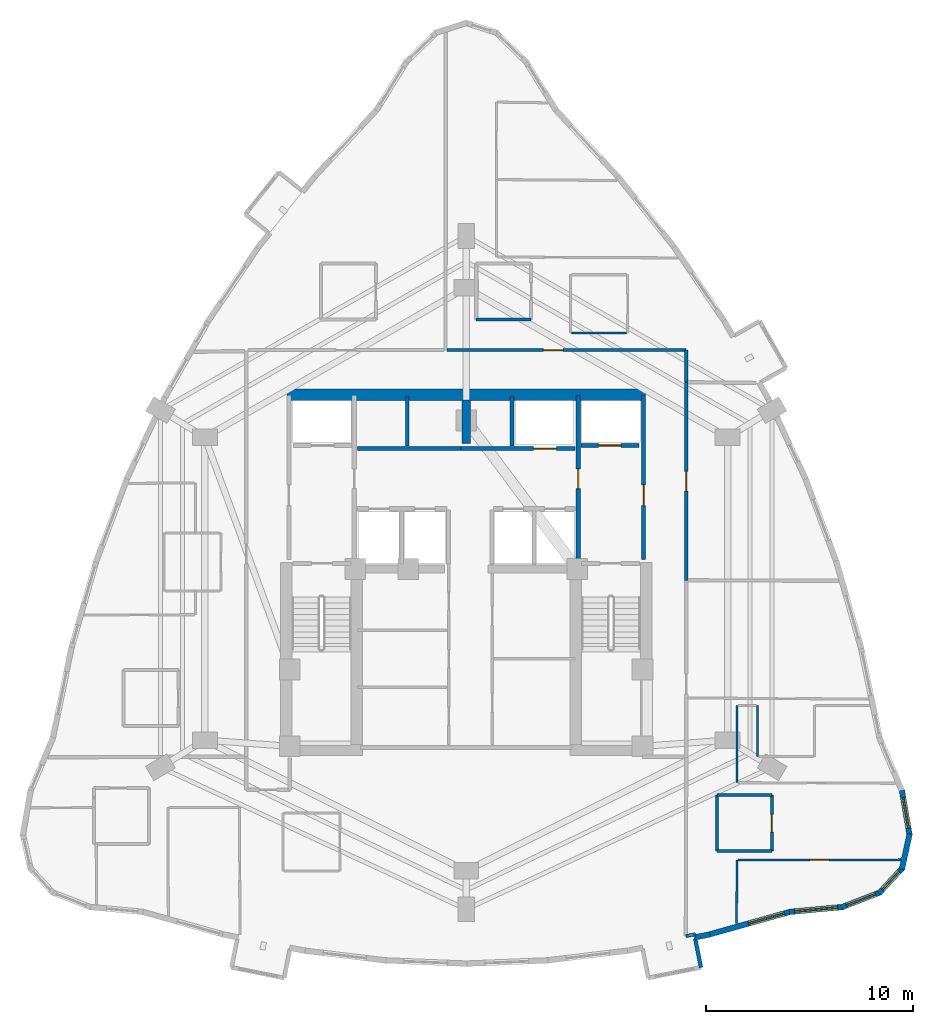
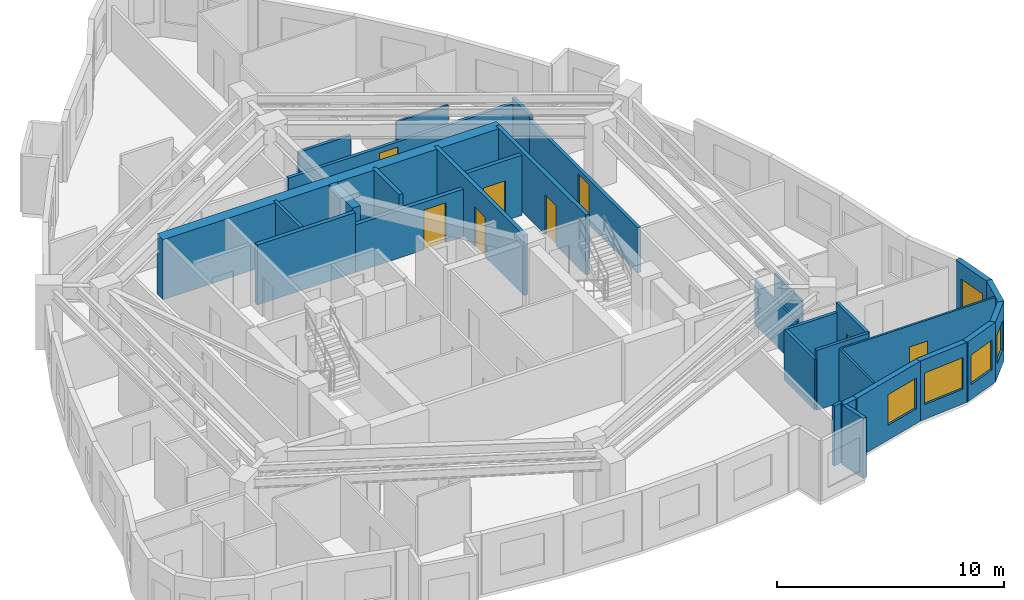
# One storey, part 8 of 11: 31 walls, 8 doors, 5 windows, 13 openings.
"""IFC4 building model written with IfcOpenShell, lengths in metres."""

import ifcopenshell
import ifcopenshell.guid

model = None  # the IFC model being written
_history = None  # IfcOwnerHistory: only IFC2X3 demands one
_inside = {}  # id of a spatial element -> (the spatial element, [elements in it])
_under = {}  # id of a project, library or spatial element -> (it, [spatial elements below it])
_declared = {}  # id of a project -> (the project, [libraries it declares])
_typed = {}  # id of a type object -> (the type object, [elements of that type])
_made_of = {}  # id of a material, layer set ... -> (it, [elements and type objects made of it])


def new_model(schema):
    """Start an empty IFC model of exactly this schema.

    Asked for "IFC4X3", IfcOpenShell would pick the latest addendum, in which some entities
    have other attributes; the version numbers below select the first issue.
    IFC2X3 requires an IfcOwnerHistory on every rooted entity: one is made here for all.
    """
    global model, _history
    if schema == "IFC4X3":
        model = ifcopenshell.file(schema_version=(4, 3, 0, 0))
    else:
        model = ifcopenshell.file(schema=schema)
    _inside.clear()
    _under.clear()
    _declared.clear()
    _typed.clear()
    _made_of.clear()
    _history = None
    if model.schema == "IFC2X3":
        org = make("IfcOrganization", Name="unknown")
        user = make(
            "IfcPersonAndOrganization",
            ThePerson=make("IfcPerson", FamilyName="unknown"),
            TheOrganization=org,
        )
        app = make(
            "IfcApplication",
            ApplicationDeveloper=org,
            Version="unknown",
            ApplicationFullName="unknown",
            ApplicationIdentifier="unknown",
        )
        _history = make(
            "IfcOwnerHistory",
            OwningUser=user,
            OwningApplication=app,
            ChangeAction="ADDED",
            CreationDate=0,
        )
    return model


def make(cls, **values):
    """One entity of the class cls with the attributes given. An attribute that is None is left unset."""
    return model.create_entity(
        cls, **{name: value for name, value in values.items() if value is not None}
    )


def rooted(cls, **values):
    """An entity with a GlobalId (a new one), such as an element, a storey or a relation."""
    return make(cls, GlobalId=ifcopenshell.guid.new(), OwnerHistory=_history, **values)


def si_unit(unit_type, name, prefix=None):
    """IfcSIUnit, for example si_unit("LENGTHUNIT", "METRE", prefix="MILLI")."""
    return make("IfcSIUnit", UnitType=unit_type, Prefix=prefix, Name=name)


def assignment(units):
    """IfcUnitAssignment: the units of a project."""
    return None if units is None else make("IfcUnitAssignment", Units=units)


def point(xyz):
    """IfcCartesianPoint."""
    return None if xyz is None else make("IfcCartesianPoint", Coordinates=xyz)


def direction(xyz):
    """IfcDirection."""
    return None if xyz is None else make("IfcDirection", DirectionRatios=xyz)


def frame(location, z_axis=None, x_axis=None):
    """IfcAxis2Placement3D, a coordinate frame: its origin and axes. An axis left out is left unset."""
    return make(
        "IfcAxis2Placement3D",
        Location=point(location),
        Axis=direction(z_axis),
        RefDirection=direction(x_axis),
    )


def frame_2d(location, x_axis=None):
    """IfcAxis2Placement2D, a coordinate frame in the plane: its origin and x axis."""
    return make(
        "IfcAxis2Placement2D", Location=point(location), RefDirection=direction(x_axis)
    )


def origin():
    """The frame at (0, 0, 0) with its axes left unset."""
    return frame((0.0, 0.0, 0.0))


def place(relative_to, where):
    """IfcLocalPlacement: puts the frame where relative to a parent placement (None: the world)."""
    return make(
        "IfcLocalPlacement", PlacementRelTo=relative_to, RelativePlacement=where
    )


def context(
    kind, dimensions, precision=None, world=None, true_north=None, identifier=None
):
    """IfcGeometricRepresentationContext, for example the 3D "Model" context."""
    return make(
        "IfcGeometricRepresentationContext",
        ContextIdentifier=identifier,
        ContextType=kind,
        CoordinateSpaceDimension=dimensions,
        Precision=precision,
        WorldCoordinateSystem=world,
        TrueNorth=true_north,
    )


def subcontext(parent, identifier, kind, view, scale=None):
    """IfcGeometricRepresentationSubContext, for example "Body" below "Model"."""
    return make(
        "IfcGeometricRepresentationSubContext",
        ContextIdentifier=identifier,
        ContextType=kind,
        ParentContext=parent,
        TargetScale=scale,
        TargetView=view,
    )


def project(units=None, contexts=None):
    """IfcProject with its units and contexts."""
    return rooted(
        "IfcProject",
        Name="project",
        RepresentationContexts=contexts,
        UnitsInContext=assignment(units),
    )


def spatial(cls, under=None, at=None, **own):
    """A site, building, storey or space (cls), placed at a placement, below another one or the project."""
    s = rooted(cls, ObjectPlacement=at, **own)
    if under is not None:
        _under.setdefault(under.id(), (under, []))[1].append(s)
    return s


def profile(cls, at=None, kind="AREA", **sizes):
    """A parametric profile (cls). Its sizes go by their IFC names, for example OverallWidth=200.0."""
    return make(cls, ProfileType=kind, Position=at, **sizes)


def rectangle(**sizes):
    """IfcRectangleProfileDef."""
    return profile("IfcRectangleProfileDef", **sizes)


def extrude(swept, where, along, depth):
    """IfcExtrudedAreaSolid: the profile swept, set in the frame where, extruded along a direction by depth."""
    return make(
        "IfcExtrudedAreaSolid",
        SweptArea=swept,
        Position=where,
        ExtrudedDirection=direction(along),
        Depth=depth,
    )


def shape(context_of_items, identifier, shape_type, items):
    """IfcShapeRepresentation: the items that make up one representation, for example the "Body"."""
    return make(
        "IfcShapeRepresentation",
        ContextOfItems=context_of_items,
        RepresentationIdentifier=identifier,
        RepresentationType=shape_type,
        Items=items,
    )


def material(Name=None, Category=None):
    """IfcMaterial."""
    return make("IfcMaterial", Name=Name, Category=Category)


def layer(
    of_material, thickness, ventilated=None, Name=None, Category=None, Priority=None
):
    """IfcMaterialLayer: one layer of a wall or slab, of a material (None: an air gap)."""
    return make(
        "IfcMaterialLayer",
        Material=of_material,
        LayerThickness=thickness,
        IsVentilated=ventilated,
        Name=Name,
        Category=Category,
        Priority=Priority,
    )


def layer_set(layers, Name=None):
    """IfcMaterialLayerSet."""
    return make("IfcMaterialLayerSet", MaterialLayers=layers, LayerSetName=Name)


def made_of(thing, what):
    """Note that an element or type object is made of a material, layer set ...; save() writes the relation."""
    if what is not None:
        _made_of.setdefault(what.id(), (what, []))[1].append(thing)
    return thing


def type_object(cls, material=None, **own):
    """A type object (cls), such as IfcWallType, which elements share."""
    return made_of(rooted(cls, **own), material)


def element(
    cls,
    number,
    at=None,
    inside=None,
    cuts=None,
    type_object=None,
    material=None,
    context=None,
    identifier="Body",
    shape_type=None,
    held_by="IfcProductDefinitionShape",
    body=None,
    shapes=None,
    **own,
):
    """One element of the class cls, such as IfcWall. Its Tag is "e" and its number.

    at: its placement. inside: the storey or other place that contains it. cuts: it is an
    opening in that element (IfcRelVoidsElement). A single representation is given by context,
    identifier, shape_type and body (its items); several are given by shapes. held_by: the class
    of the entity that holds the representations. save() writes the other relations.
    """
    e = rooted(cls, Tag="e%d" % number, ObjectPlacement=at, **own)
    if body is not None:
        shapes = [shape(context, identifier, shape_type, body)]
    if shapes is not None:
        e.Representation = make(held_by, Representations=shapes)
    if inside is not None:
        _inside.setdefault(inside.id(), (inside, []))[1].append(e)
    if cuts is not None:
        rooted(
            "IfcRelVoidsElement", RelatingBuildingElement=cuts, RelatedOpeningElement=e
        )
    if type_object is not None:
        _typed.setdefault(type_object.id(), (type_object, []))[1].append(e)
    return made_of(e, material)


def fill(opening, filler):
    """IfcRelFillsElement: the door or window that sits in an opening."""
    return rooted(
        "IfcRelFillsElement",
        RelatingOpeningElement=opening,
        RelatedBuildingElement=filler,
    )


def aggregate(whole, parts):
    """IfcRelAggregates: a whole, such as a stair, and the parts it consists of."""
    return rooted("IfcRelAggregates", RelatingObject=whole, RelatedObjects=parts)


def save(model, path):
    """Write the relations noted so far, then the file.

    IfcRelAggregates (storeys below a building ...), IfcRelContainedInSpatialStructure (elements
    in a storey), IfcRelDefinesByType, IfcRelAssociatesMaterial and IfcRelDeclares: one each for
    every whole, place, type object, material and project.
    """
    for whole, parts in _under.values():
        aggregate(whole, parts)
    for where, things in _inside.values():
        rooted(
            "IfcRelContainedInSpatialStructure",
            RelatedElements=things,
            RelatingStructure=where,
        )
    for kind, things in _typed.values():
        rooted("IfcRelDefinesByType", RelatedObjects=things, RelatingType=kind)
    for what, things in _made_of.values():
        rooted("IfcRelAssociatesMaterial", RelatedObjects=things, RelatingMaterial=what)
    for by, libraries in _declared.values():
        rooted("IfcRelDeclares", RelatingContext=by, RelatedDefinitions=libraries)
    model.write(path)


model = new_model("IFC4")

# Units and contexts
model_context = context("Model", 3, precision=1e-05, world=origin(), true_north=direction((0.0, 1.0)))
body_context = subcontext(model_context, "Body", "Model", "MODEL_VIEW")
ifc_project = project(units=[si_unit("LENGTHUNIT", "METRE"), si_unit("AREAUNIT", "SQUARE_METRE"), si_unit("VOLUMEUNIT", "CUBIC_METRE"), si_unit("PLANEANGLEUNIT", "RADIAN"), si_unit("MASSUNIT", "GRAM", prefix="KILO")], contexts=[model_context])

# Site, building, storey
site_placement = place(None, origin())
site = spatial("IfcSite", under=ifc_project, at=site_placement, CompositionType="ELEMENT")
building_placement = place(site_placement, origin())
building = spatial("IfcBuilding", under=site, at=building_placement, Name="Miruveldt Soraemaru", CompositionType="ELEMENT")
storey_placement = place(building_placement, frame((0.0, 0.0, 159.89990234375)))
storey = spatial("IfcBuildingStorey", under=building, at=storey_placement, Name="L44", CompositionType="ELEMENT", Elevation=159.89990234375)

# Walls
ifc_material_1 = material(Name="White powder-coated aluminium EN AW-6060 T6", Category="aluminium")
ifc_layer_1 = layer(ifc_material_1, 0.18994140625, Name="White powder-coated aluminium EN AW-6060 T6", Category="aluminium")
ifc_layer_set_1 = layer_set([ifc_layer_1], Name="White powder-coated aluminium EN AW-6060 T6")
wall_type_1 = type_object("IfcWallType", Name="WALL-BAY-ALU190", PredefinedType="SOLIDWALL", material=ifc_layer_set_1)
wall_1_placement = place(storey_placement, frame((55.319091796875, 24.8408203125, 0.0), z_axis=(0.0, 0.0, 1.0), x_axis=(-0.195984352603, 0.980607022989, 0.0)))
element("IfcWall", 1, at=wall_1_placement, inside=storey, type_object=wall_type_1, Name="L44 Bay Window Side Cheek 2R", PredefinedType="SOLIDWALL", context=body_context, shape_type="SweptSolid", body=[
    extrude(rectangle(XDim=1.425048828125, YDim=0.18994140625, at=frame_2d((0.71240234375, 0.0))), origin(), (0.0, 0.0, 1.0), 3.235107421875),
])
ifc_material_2 = material(Name="Concrete C70/85 (70 MPa)", Category="concrete")
ifc_layer_2 = layer(ifc_material_2, 0.5, Name="Concrete C70/85 (70 MPa)", Category="concrete")
ifc_layer_set_2 = layer_set([ifc_layer_2], Name="Concrete C70/85 (70 MPa)")
wall_type_2 = type_object("IfcWallType", Name="WALL-BW-500", PredefinedType="SHEAR", material=ifc_layer_set_2)
wall_2_placement = place(storey_placement, frame((44.0, 50.10009765625, 0.0), z_axis=(0.0, 0.0, 1.0), x_axis=(0.0, 1.0, 0.0)))
element("IfcWall", 2, at=wall_2_placement, inside=storey, type_object=wall_type_2, Name="L44 Core Buttress Shear Wall BN", PredefinedType="SHEAR", context=body_context, shape_type="SweptSolid", body=[
    extrude(rectangle(XDim=2.099853515625, YDim=0.39990234375, at=frame_2d((1.0498046875, 0.0))), origin(), (0.0, 0.0, 1.0), 3.235107421875),
])
ifc_layer_3 = layer(ifc_material_2, 0.550048828125, Name="Concrete C70/85 (70 MPa)", Category="concrete")
ifc_layer_set_3 = layer_set([ifc_layer_3], Name="Concrete C70/85 (70 MPa)")
wall_type_3 = type_object("IfcWallType", Name="WALL-CW-550", PredefinedType="SHEAR", material=ifc_layer_set_3)
wall_3_placement = place(storey_placement, frame((35.35009765625, 52.449951171875, 0.0), z_axis=(0.0, 0.0, 1.0), x_axis=(1.0, 0.0, 0.0)))
element("IfcWall", 3, at=wall_3_placement, inside=storey, type_object=wall_type_3, Name="L44 Central Core Shear Wall N", PredefinedType="SHEAR", context=body_context, shape_type="SweptSolid", body=[
    extrude(rectangle(XDim=17.2998046875, YDim=0.550048828125, at=frame_2d((8.64990234375, 0.0))), origin(), (0.0, 0.0, 1.0), 3.235107421875),
])
ifc_material_3 = material(Name="Precast concrete C45/55 (45 MPa)", Category="concrete")
ifc_layer_4 = layer(ifc_material_3, 0.27001953125, Name="Precast concrete C45/55 (45 MPa)", Category="concrete")
ifc_layer_set_4 = layer_set([ifc_layer_4], Name="Precast concrete C45/55 (45 MPa)")
wall_type_4 = type_object("IfcWallType", Name="WALL-EXT-PC270", PredefinedType="SOLIDWALL", material=ifc_layer_set_4)
wall_4_placement = place(storey_placement, frame((54.99951171875, 26.286376953125, 0.0), z_axis=(0.0, 0.0, 1.0), x_axis=(0.980580675691, 0.196116135138, 0.0)))
element("IfcWall", 4, at=wall_4_placement, inside=storey, type_object=wall_type_4, Name="L44 Precast Pier Wall 27B", PredefinedType="SOLIDWALL", context=body_context, shape_type="SweptSolid", body=[
    extrude(rectangle(XDim=0.75439453125, YDim=0.27001953125, at=frame_2d((0.377197265625, 0.0))), origin(), (0.0, 0.0, 1.0), 3.235107421875),
])

# Wall, opening, window
wall_5_placement = place(storey_placement, frame((55.67138671875, 26.41796875, 0.0), z_axis=(0.0, 0.0, 1.0), x_axis=(0.962963404524, 0.269632122618, 0.0)))
wall_5 = element("IfcWall", 5, at=wall_5_placement, inside=storey, type_object=wall_type_4, Name="L44 Precast Concrete Facade Wall 28", PredefinedType="SOLIDWALL", context=body_context, shape_type="SweptSolid", body=[
    extrude(rectangle(XDim=4.12158203125, YDim=0.27001953125, at=frame_2d((2.060791015625, 0.0))), origin(), (0.0, 0.0, 1.0), 3.235107421875),
])
opening_1_placement = place(wall_5_placement, frame((2.008056640625, 0.0, 0.800048828125)))
opening_1 = element("IfcOpeningElement", 6, at=opening_1_placement, cuts=wall_5, Name="Opening WN-2", PredefinedType="OPENING", context=body_context, shape_type="SweptSolid", body=[
    extrude(rectangle(XDim=1.800048828125, YDim=1.64990234375, at=frame_2d((0.89990234375, 0.824951171875))), frame((0.0, 0.14501953125, 0.0), z_axis=(0.0, -1.0, 0.0), x_axis=(1.0, 0.0, 0.0)), (0.0, 0.0, 1.0), 0.2900390625),
])
ifc_material_4 = material(Name="Triple low-e insulated glazing", Category="glass")
window_type_1 = type_object("IfcWindowType", Name="WIN-PUNCH-1800x1650", PartitioningType="SINGLE_PANEL", PredefinedType="WINDOW", material=ifc_material_4)
window_1_placement = place(opening_1_placement, origin())
window_1 = element("IfcWindow", 7, at=window_1_placement, inside=storey, type_object=window_type_1, Name="L44 Punched Triple-Glazed Window 28.1", OverallHeight=1.64990234375, OverallWidth=1.800048828125, PartitioningType="SINGLE_PANEL", PredefinedType="WINDOW", context=body_context, shape_type="SweptSolid", body=[
    extrude(rectangle(XDim=1.800048828125, YDim=1.64990234375, at=frame_2d((0.89990234375, 0.824951171875))), frame((0.0, 0.030029296875, 0.0), z_axis=(0.0, -1.0, 0.0), x_axis=(1.0, 0.0, 0.0)), (0.0, 0.0, 1.0), 0.06005859375),
])
fill(opening_1, window_1)

wall_6_placement = place(storey_placement, frame((59.57177734375, 27.5166015625, 0.0), z_axis=(0.0, 0.0, 1.0), x_axis=(0.99576139122, 0.091974190706, 0.0)))
wall_6 = element("IfcWall", 8, at=wall_6_placement, inside=storey, type_object=wall_type_4, Name="L44 Precast Concrete Facade Wall 29", PredefinedType="SOLIDWALL", context=body_context, shape_type="SweptSolid", body=[
    extrude(rectangle(XDim=2.601318359375, YDim=0.27001953125, at=frame_2d((1.30078125, 0.0))), origin(), (0.0, 0.0, 1.0), 3.235107421875),
])
opening_2_placement = place(wall_6_placement, frame((0.2509765625, 0.0, 0.800048828125)))
opening_2 = element("IfcOpeningElement", 9, at=opening_2_placement, cuts=wall_6, Name="Opening WN-1", PredefinedType="OPENING", context=body_context, shape_type="SweptSolid", body=[
    extrude(rectangle(XDim=2.10009765625, YDim=1.699951171875, at=frame_2d((1.050048828125, 0.85009765625))), frame((0.0, 0.14501953125, 0.0), z_axis=(0.0, -1.0, 0.0), x_axis=(1.0, 0.0, 0.0)), (0.0, 0.0, 1.0), 0.2900390625),
])
window_type_2 = type_object("IfcWindowType", Name="WIN-PUNCH-2100x1700", PartitioningType="SINGLE_PANEL", PredefinedType="WINDOW", material=ifc_material_4)
window_2_placement = place(opening_2_placement, origin())
window_2 = element("IfcWindow", 10, at=window_2_placement, inside=storey, type_object=window_type_2, Name="L44 Punched Triple-Glazed Window 29.1", OverallHeight=1.699951171875, OverallWidth=2.10009765625, PartitioningType="SINGLE_PANEL", PredefinedType="WINDOW", context=body_context, shape_type="SweptSolid", body=[
    extrude(rectangle(XDim=2.10009765625, YDim=1.699951171875, at=frame_2d((1.050048828125, 0.85009765625))), frame((0.0, 0.030029296875, 0.0), z_axis=(0.0, -1.0, 0.0), x_axis=(1.0, 0.0, 0.0)), (0.0, 0.0, 1.0), 0.06005859375),
])
fill(opening_2, window_2)

wall_7_placement = place(storey_placement, frame((62.0947265625, 27.739990234375, 0.0), z_axis=(0.0, 0.0, 1.0), x_axis=(0.932288278252, 0.361716140411, 0.0)))
wall_7 = element("IfcWall", 11, at=wall_7_placement, inside=storey, type_object=wall_type_4, Name="L44 Precast Concrete Facade Wall 30", PredefinedType="SOLIDWALL", context=body_context, shape_type="SweptSolid", body=[
    extrude(rectangle(XDim=2.001220703125, YDim=0.27001953125, at=frame_2d((1.00048828125, 0.0))), origin(), (0.0, 0.0, 1.0), 3.235107421875),
])
opening_3_placement = place(wall_7_placement, frame((0.25, 0.0, 0.800048828125)))
opening_3 = element("IfcOpeningElement", 12, at=opening_3_placement, cuts=wall_7, Name="Opening WN-3", PredefinedType="OPENING", context=body_context, shape_type="SweptSolid", body=[
    extrude(rectangle(XDim=1.5, YDim=1.60009765625, at=frame_2d((0.75, 0.800048828125))), frame((0.0, 0.14501953125, 0.0), z_axis=(0.0, -1.0, 0.0), x_axis=(1.0, 0.0, 0.0)), (0.0, 0.0, 1.0), 0.2900390625),
])
window_type_3 = type_object("IfcWindowType", Name="WIN-PUNCH-1500x1600", PartitioningType="SINGLE_PANEL", PredefinedType="WINDOW", material=ifc_material_4)
window_3_placement = place(opening_3_placement, origin())
window_3 = element("IfcWindow", 13, at=window_3_placement, inside=storey, type_object=window_type_3, Name="L44 Punched Triple-Glazed Window 30.1", OverallHeight=1.60009765625, OverallWidth=1.5, PartitioningType="SINGLE_PANEL", PredefinedType="WINDOW", context=body_context, shape_type="SweptSolid", body=[
    extrude(rectangle(XDim=1.5, YDim=1.60009765625, at=frame_2d((0.75, 0.800048828125))), frame((0.0, 0.030029296875, 0.0), z_axis=(0.0, -1.0, 0.0), x_axis=(1.0, 0.0, 0.0)), (0.0, 0.0, 1.0), 0.06005859375),
])
fill(opening_3, window_3)

wall_8_placement = place(storey_placement, frame((63.904052734375, 28.425537109375, 0.0), z_axis=(0.0, 0.0, 1.0), x_axis=(0.680185643982, 0.733039896404, 0.0)))
wall_8 = element("IfcWall", 14, at=wall_8_placement, inside=storey, type_object=wall_type_4, Name="L44 Precast Concrete Facade Wall 31", PredefinedType="SOLIDWALL", context=body_context, shape_type="SweptSolid", body=[
    extrude(rectangle(XDim=1.658203125, YDim=0.27001953125, at=frame_2d((0.8291015625, 0.0))), origin(), (0.0, 0.0, 1.0), 3.235107421875),
])
opening_4_placement = place(wall_8_placement, frame((0.22412109375, 0.0, 0.780029296875)))
opening_4 = element("IfcOpeningElement", 15, at=opening_4_placement, cuts=wall_8, Name="Opening WN-4", PredefinedType="OPENING", context=body_context, shape_type="SweptSolid", body=[
    extrude(rectangle(XDim=1.199951171875, YDim=1.550048828125, at=frame_2d((0.60009765625, 0.77490234375))), frame((0.0, 0.14501953125, 0.0), z_axis=(0.0, -1.0, 0.0), x_axis=(1.0, 0.0, 0.0)), (0.0, 0.0, 1.0), 0.2900390625),
])
window_type_4 = type_object("IfcWindowType", Name="WIN-PUNCH-1200x1550", PartitioningType="SINGLE_PANEL", PredefinedType="WINDOW", material=ifc_material_4)
window_4_placement = place(opening_4_placement, origin())
window_4 = element("IfcWindow", 16, at=window_4_placement, inside=storey, type_object=window_type_4, Name="L44 Punched Triple-Glazed Window 31.1", OverallHeight=1.550048828125, OverallWidth=1.199951171875, PartitioningType="SINGLE_PANEL", PredefinedType="WINDOW", context=body_context, shape_type="SweptSolid", body=[
    extrude(rectangle(XDim=1.199951171875, YDim=1.550048828125, at=frame_2d((0.60009765625, 0.77490234375))), frame((0.0, 0.030029296875, 0.0), z_axis=(0.0, -1.0, 0.0), x_axis=(1.0, 0.0, 0.0)), (0.0, 0.0, 1.0), 0.06005859375),
])
fill(opening_4, window_4)

# Wall
wall_9_placement = place(storey_placement, frame((65.00048828125, 29.581298828125, 0.0), z_axis=(0.0, 0.0, 1.0), x_axis=(0.215756106761, 0.97644728603, 0.0)))
element("IfcWall", 17, at=wall_9_placement, inside=storey, type_object=wall_type_4, Name="L44 Precast Concrete Facade Wall 32", PredefinedType="SOLIDWALL", context=body_context, shape_type="SweptSolid", body=[
    extrude(rectangle(XDim=1.7392578125, YDim=0.27001953125, at=frame_2d((0.86962890625, 0.0))), origin(), (0.0, 0.0, 1.0), 3.235107421875),
])

# Wall, opening, window
wall_10_placement = place(storey_placement, frame((65.3740234375, 31.2109375, 0.0), z_axis=(0.0, 0.0, 1.0), x_axis=(-0.169300112967, 0.98556454469, 0.0)))
wall_10 = element("IfcWall", 18, at=wall_10_placement, inside=storey, type_object=wall_type_4, Name="L44 Precast Concrete Facade Wall 33", PredefinedType="SOLIDWALL", context=body_context, shape_type="SweptSolid", body=[
    extrude(rectangle(XDim=2.1962890625, YDim=0.27001953125, at=frame_2d((1.09814453125, 0.0))), origin(), (0.0, 0.0, 1.0), 3.235107421875),
])
opening_5_placement = place(wall_10_placement, frame((0.347900390625, 0.0, 0.800048828125)))
opening_5 = element("IfcOpeningElement", 19, at=opening_5_placement, cuts=wall_10, Name="Opening WN-3", PredefinedType="OPENING", context=body_context, shape_type="SweptSolid", body=[
    extrude(rectangle(XDim=1.5, YDim=1.60009765625, at=frame_2d((0.75, 0.800048828125))), frame((0.0, 0.14501953125, 0.0), z_axis=(0.0, -1.0, 0.0), x_axis=(1.0, 0.0, 0.0)), (0.0, 0.0, 1.0), 0.2900390625),
])
window_5_placement = place(opening_5_placement, origin())
window_5 = element("IfcWindow", 20, at=window_5_placement, inside=storey, type_object=window_type_3, Name="L44 Punched Triple-Glazed Window 33.1", OverallHeight=1.60009765625, OverallWidth=1.5, PartitioningType="SINGLE_PANEL", PredefinedType="WINDOW", context=body_context, shape_type="SweptSolid", body=[
    extrude(rectangle(XDim=1.5, YDim=1.60009765625, at=frame_2d((0.75, 0.800048828125))), frame((0.0, 0.030029296875, 0.0), z_axis=(0.0, -1.0, 0.0), x_axis=(1.0, 0.0, 0.0)), (0.0, 0.0, 1.0), 0.06005859375),
])
fill(opening_5, window_5)

# Wall, opening, door
ifc_material_5 = material(Name="Gypsum plasterboard lining", Category="gypsum")
ifc_layer_5 = layer(ifc_material_5, 0.10009765625, Name="Gypsum plasterboard lining", Category="gypsum")
ifc_layer_set_5 = layer_set([ifc_layer_5], Name="Gypsum plasterboard lining")
wall_type_5 = type_object("IfcWallType", Name="WALL-INT-P100", PredefinedType="PARTITIONING", material=ifc_layer_set_5)
wall_11_placement = place(storey_placement, frame((57.10009765625, 30.01708984375, 0.0), z_axis=(0.0, 0.0, 1.0), x_axis=(0.999998199017, 0.001897884015, 0.0)))
wall_11 = element("IfcWall", 21, at=wall_11_placement, inside=storey, type_object=wall_type_5, Name="L44 Partition Wall 53", PredefinedType="PARTITIONING", context=body_context, shape_type="SweptSolid", body=[
    extrude(rectangle(XDim=7.846923828125, YDim=0.10009765625, at=frame_2d((3.92333984375, 0.0))), origin(), (0.0, 0.0, 1.0), 3.235107421875),
])
opening_6_placement = place(wall_11_placement, frame((3.464111328125, 0.0, 0.0)))
opening_6 = element("IfcOpeningElement", 22, at=opening_6_placement, cuts=wall_11, Name="Opening D3A", PredefinedType="OPENING", context=body_context, shape_type="SweptSolid", body=[
    extrude(rectangle(XDim=0.919921875, YDim=2.10009765625, at=frame_2d((0.4599609375, 1.050048828125))), frame((0.0, 0.06005859375, 0.0), z_axis=(0.0, -1.0, 0.0), x_axis=(1.0, 0.0, 0.0)), (0.0, 0.0, 1.0), 0.1201171875),
])
ifc_material_6 = material(Name="Anodised aluminium EN AW-6063 T6", Category="aluminium")
door_type_1 = type_object("IfcDoorType", Name="DOOR-INT-920", OperationType="NOTDEFINED", PredefinedType="DOOR", material=ifc_material_6)
door_1_placement = place(opening_6_placement, origin())
door_1 = element("IfcDoor", 23, at=door_1_placement, inside=storey, type_object=door_type_1, Name="L44 Unit 4405 BD1 Door", OperationType="SINGLE_SWING_LEFT", OverallHeight=2.10009765625, OverallWidth=0.919921875, PredefinedType="DOOR", context=body_context, shape_type="SweptSolid", body=[
    extrude(rectangle(XDim=0.919921875, YDim=2.10009765625, at=frame_2d((0.4599609375, 1.050048828125))), frame((0.0, 0.02490234375, 0.0), z_axis=(0.0, -1.0, 0.0), x_axis=(1.0, 0.0, 0.0)), (0.0, 0.0, 1.0), 0.050048828125),
])
fill(opening_6, door_1)

# Walls
wall_12_placement = place(storey_placement, frame((57.050048828125, 33.7470703125, 0.0), z_axis=(0.0, 0.0, 1.0), x_axis=(0.0, 1.0, 0.0)))
element("IfcWall", 24, at=wall_12_placement, inside=storey, type_object=wall_type_5, Name="L44 Partition Wall 55", PredefinedType="PARTITIONING", context=body_context, shape_type="SweptSolid", body=[
    extrude(rectangle(XDim=3.72900390625, YDim=0.10009765625, at=frame_2d((1.864501953125, 0.0))), origin(), (0.0, 0.0, 1.0), 2.423095703125),
])
wall_13_placement = place(storey_placement, frame((57.031005859375, 26.9541015625, 0.0), z_axis=(0.0, 0.0, 1.0), x_axis=(0.006217000844, 0.999980674264, 0.0)))
element("IfcWall", 25, at=wall_13_placement, inside=storey, type_object=wall_type_5, Name="L44 Partition Wall 52", PredefinedType="PARTITIONING", context=body_context, shape_type="SweptSolid", body=[
    extrude(rectangle(XDim=3.06298828125, YDim=0.10009765625, at=frame_2d((1.531494140625, 0.0))), origin(), (0.0, 0.0, 1.0), 3.235107421875),
])
wall_14_placement = place(storey_placement, frame((49.0810546875, 55.429931640625, 0.0), z_axis=(0.0, 0.0, 1.0), x_axis=(1.0, 0.0, 0.0)))
element("IfcWall", 26, at=wall_14_placement, inside=storey, type_object=wall_type_5, Name="L44 Partition Wall 24", PredefinedType="PARTITIONING", context=body_context, shape_type="SweptSolid", body=[
    extrude(rectangle(XDim=2.64990234375, YDim=0.10009765625, at=frame_2d((1.324951171875, 0.0))), origin(), (0.0, 0.0, 1.0), 2.822998046875),
])
wall_15_placement = place(storey_placement, frame((58.030029296875, 37.47607421875, 0.0), z_axis=(0.0, 0.0, 1.0), x_axis=(0.0, -1.0, 0.0)))
element("IfcWall", 27, at=wall_15_placement, inside=storey, type_object=wall_type_5, Name="L44 Partition Wall 59", PredefinedType="PARTITIONING", context=body_context, shape_type="SweptSolid", body=[
    extrude(rectangle(XDim=2.466064453125, YDim=0.10009765625, at=frame_2d((1.23291015625, 0.0))), origin(), (0.0, 0.0, 1.0), 2.423095703125),
])

# Wall, opening, door
ifc_layer_6 = layer(ifc_material_5, 0.14990234375, Name="Gypsum plasterboard lining", Category="gypsum")
ifc_layer_set_6 = layer_set([ifc_layer_6], Name="Gypsum plasterboard lining")
wall_type_6 = type_object("IfcWallType", Name="WALL-INT-PLUMB", PredefinedType="PLUMBINGWALL", material=ifc_layer_set_6)
wall_16_placement = place(storey_placement, frame((58.72998046875, 30.4599609375, 0.0), z_axis=(0.0, 0.0, 1.0), x_axis=(0.0, 1.0, 0.0)))
wall_16 = element("IfcWall", 28, at=wall_16_placement, inside=storey, type_object=wall_type_6, Name="L44 Partition Wall 47", PredefinedType="PLUMBINGWALL", context=body_context, shape_type="SweptSolid", body=[
    extrude(rectangle(XDim=2.699951171875, YDim=0.14990234375, at=frame_2d((1.35009765625, 0.0))), origin(), (0.0, 0.0, 1.0), 3.235107421875),
])
opening_7_placement = place(wall_16_placement, frame((0.909912109375, 0.0, 0.0)))
opening_7 = element("IfcOpeningElement", 29, at=opening_7_placement, cuts=wall_16, Name="Opening FD3", PredefinedType="OPENING", context=body_context, shape_type="SweptSolid", body=[
    extrude(rectangle(XDim=0.85009765625, YDim=2.10009765625, at=frame_2d((0.425048828125, 1.050048828125))), frame((0.0, 0.0849609375, 0.0), z_axis=(0.0, -1.0, 0.0), x_axis=(1.0, 0.0, 0.0)), (0.0, 0.0, 1.0), 0.169921875),
])
door_type_2 = type_object("IfcDoorType", Name="DOOR-FD3-850", OperationType="NOTDEFINED", PredefinedType="DOOR", material=ifc_material_6)
door_2_placement = place(opening_7_placement, origin())
door_2 = element("IfcDoor", 30, at=door_2_placement, inside=storey, type_object=door_type_2, Name="L44 Unit 4405 BTH Door", OperationType="SINGLE_SWING_LEFT", OverallHeight=2.10009765625, OverallWidth=0.85009765625, PredefinedType="DOOR", context=body_context, shape_type="SweptSolid", body=[
    extrude(rectangle(XDim=0.85009765625, YDim=2.10009765625, at=frame_2d((0.425048828125, 1.050048828125))), frame((0.0, 0.02490234375, 0.0), z_axis=(0.0, -1.0, 0.0), x_axis=(1.0, 0.0, 0.0)), (0.0, 0.0, 1.0), 0.050048828125),
])
fill(opening_7, door_2)

# Walls
wall_17_placement = place(storey_placement, frame((56.080078125, 33.159912109375, 0.0), z_axis=(0.0, 0.0, 1.0), x_axis=(0.0, -1.0, 0.0)))
element("IfcWall", 31, at=wall_17_placement, inside=storey, type_object=wall_type_6, Name="L44 Partition Wall 49", PredefinedType="PLUMBINGWALL", context=body_context, shape_type="SweptSolid", body=[
    extrude(rectangle(XDim=2.699951171875, YDim=0.14990234375, at=frame_2d((1.35009765625, 0.0))), origin(), (0.0, 0.0, 1.0), 2.72314453125),
])
wall_18_placement = place(storey_placement, frame((44.48095703125, 56.080078125, 0.0), z_axis=(0.0, 0.0, 1.0), x_axis=(1.0, 0.0, 0.0)))
element("IfcWall", 32, at=wall_18_placement, inside=storey, type_object=wall_type_6, Name="L44 Partition Wall 20", PredefinedType="PLUMBINGWALL", context=body_context, shape_type="SweptSolid", body=[
    extrude(rectangle(XDim=2.650146484375, YDim=0.14990234375, at=frame_2d((1.3251953125, 0.0))), origin(), (0.0, 0.0, 1.0), 2.423095703125),
])
wall_19_placement = place(storey_placement, frame((58.72998046875, 33.159912109375, 0.0), z_axis=(0.0, 0.0, 1.0), x_axis=(-1.0, 0.0, 0.0)))
element("IfcWall", 33, at=wall_19_placement, inside=storey, type_object=wall_type_6, Name="L44 Partition Wall 48", PredefinedType="PLUMBINGWALL", context=body_context, shape_type="SweptSolid", body=[
    extrude(rectangle(XDim=2.64990234375, YDim=0.14990234375, at=frame_2d((1.324951171875, 0.0))), origin(), (0.0, 0.0, 1.0), 2.72314453125),
])
wall_20_placement = place(storey_placement, frame((56.080078125, 30.4599609375, 0.0), z_axis=(0.0, 0.0, 1.0), x_axis=(1.0, 0.0, 0.0)))
element("IfcWall", 34, at=wall_20_placement, inside=storey, type_object=wall_type_6, Name="L44 Partition Wall 50", PredefinedType="PLUMBINGWALL", context=body_context, shape_type="SweptSolid", body=[
    extrude(rectangle(XDim=2.64990234375, YDim=0.14990234375, at=frame_2d((1.324951171875, 0.0))), origin(), (0.0, 0.0, 1.0), 3.235107421875),
])

# Wall, opening, door
ifc_material_7 = material(Name="Concrete C40/50 (40 MPa)", Category="concrete")
ifc_layer_7 = layer(ifc_material_7, 0.159912109375, Name="Concrete C40/50 (40 MPa)", Category="concrete")
ifc_layer_set_7 = layer_set([ifc_layer_7], Name="Concrete C40/50 (40 MPa)")
wall_type_7 = type_object("IfcWallType", Name="WALL-INT-RC160", PredefinedType="SOLIDWALL", material=ifc_layer_set_7)
wall_21_placement = place(storey_placement, frame((54.60009765625, 54.60009765625, 0.0), z_axis=(0.0, 0.0, 1.0), x_axis=(-1.0, 0.0, 0.0)))
wall_21 = element("IfcWall", 35, at=wall_21_placement, inside=storey, type_object=wall_type_7, Name="L44 Partition Wall 3", PredefinedType="SOLIDWALL", context=body_context, shape_type="SweptSolid", body=[
    extrude(rectangle(XDim=11.51708984375, YDim=0.159912109375, at=frame_2d((5.758544921875, 0.0))), origin(), (0.0, 0.0, 1.0), 2.423095703125),
])
opening_8_placement = place(wall_21_placement, frame((5.93408203125, 0.0, 0.0)))
opening_8 = element("IfcOpeningElement", 36, at=opening_8_placement, cuts=wall_21, Name="Opening FD2", PredefinedType="OPENING", context=body_context, shape_type="SweptSolid", body=[
    extrude(rectangle(XDim=0.949951171875, YDim=2.14990234375, at=frame_2d((0.47509765625, 1.074951171875))), frame((0.0, 0.08984375, 0.0), z_axis=(0.0, -1.0, 0.0), x_axis=(1.0, 0.0, 0.0)), (0.0, 0.0, 1.0), 0.179931640625),
])
door_type_3 = type_object("IfcDoorType", Name="DOOR-FD2-950", OperationType="NOTDEFINED", PredefinedType="DOOR", material=ifc_material_6)
door_3_placement = place(opening_8_placement, origin())
door_3 = element("IfcDoor", 37, at=door_3_placement, inside=storey, type_object=door_type_3, Name="L44 Unit 4402 Entrance Fire Door", OperationType="SINGLE_SWING_RIGHT", OverallHeight=2.14990234375, OverallWidth=0.949951171875, PredefinedType="DOOR", context=body_context, shape_type="SweptSolid", body=[
    extrude(rectangle(XDim=0.949951171875, YDim=2.14990234375, at=frame_2d((0.47509765625, 1.074951171875))), frame((0.0, 0.02490234375, 0.0), z_axis=(0.0, -1.0, 0.0), x_axis=(1.0, 0.0, 0.0)), (0.0, 0.0, 1.0), 0.050048828125),
])
fill(opening_8, door_3)

wall_22_placement = place(storey_placement, frame((54.60009765625, 43.5, 0.0), z_axis=(0.0, 0.0, 1.0), x_axis=(0.0, 1.0, 0.0)))
wall_22 = element("IfcWall", 38, at=wall_22_placement, inside=storey, type_object=wall_type_7, Name="L44 Partition Wall 5", PredefinedType="SOLIDWALL", context=body_context, shape_type="SweptSolid", body=[
    extrude(rectangle(XDim=9.550048828125, YDim=0.159912109375, at=frame_2d((4.77490234375, 0.0))), origin(), (0.0, 0.0, 1.0), 2.423095703125),
])
opening_9_placement = place(wall_22_placement, frame((4.300048828125, 0.0, 0.0)))
opening_9 = element("IfcOpeningElement", 39, at=opening_9_placement, cuts=wall_22, Name="Opening FD2", PredefinedType="OPENING", context=body_context, shape_type="SweptSolid", body=[
    extrude(rectangle(XDim=0.949951171875, YDim=2.14990234375, at=frame_2d((0.47509765625, 1.074951171875))), frame((0.0, 0.08984375, 0.0), z_axis=(0.0, -1.0, 0.0), x_axis=(1.0, 0.0, 0.0)), (0.0, 0.0, 1.0), 0.179931640625),
])
door_4_placement = place(opening_9_placement, origin())
door_4 = element("IfcDoor", 40, at=door_4_placement, inside=storey, type_object=door_type_3, Name="L44 Unit CL04 Entrance Fire Door", OperationType="SINGLE_SWING_LEFT", OverallHeight=2.14990234375, OverallWidth=0.949951171875, PredefinedType="DOOR", context=body_context, shape_type="SweptSolid", body=[
    extrude(rectangle(XDim=0.949951171875, YDim=2.14990234375, at=frame_2d((0.47509765625, 1.074951171875))), frame((0.0, 0.02490234375, 0.0), z_axis=(0.0, -1.0, 0.0), x_axis=(1.0, 0.0, 0.0)), (0.0, 0.0, 1.0), 0.050048828125),
])
fill(opening_9, door_4)

# Walls
wall_23_placement = place(storey_placement, frame((41.14990234375, 49.97998046875, 0.0), z_axis=(0.0, 0.0, 1.0), x_axis=(0.0, 1.0, 0.0)))
element("IfcWall", 41, at=wall_23_placement, inside=storey, type_object=wall_type_7, Name="L44 Core Compartment Wall PLH-DIV1", PredefinedType="SOLIDWALL", context=body_context, shape_type="SweptSolid", body=[
    extrude(rectangle(XDim=2.3701171875, YDim=0.159912109375, at=frame_2d((1.18505859375, 0.0))), origin(), (0.0, 0.0, 1.0), 3.235107421875),
])
wall_24_placement = place(storey_placement, frame((54.60009765625, 53.052978515625, 0.0), z_axis=(0.0, 0.0, 1.0), x_axis=(0.0, 1.0, 0.0)))
element("IfcWall", 42, at=wall_24_placement, inside=storey, type_object=wall_type_7, Name="L44 Partition Wall 2", PredefinedType="SOLIDWALL", context=body_context, shape_type="SweptSolid", body=[
    extrude(rectangle(XDim=1.547119140625, YDim=0.159912109375, at=frame_2d((0.7734375, 0.0))), origin(), (0.0, 0.0, 1.0), 2.72314453125),
])
wall_25_placement = place(storey_placement, frame((54.5869140625, 26.35693359375, 0.0), z_axis=(0.0, 0.0, 1.0), x_axis=(0.98347749977, 0.181030404757, 0.0)))
element("IfcWall", 43, at=wall_25_placement, inside=storey, type_object=wall_type_7, Name="L44 Partition Closure Return 1", PredefinedType="SOLIDWALL", context=body_context, shape_type="SweptSolid", body=[
    extrude(rectangle(XDim=0.470703125, YDim=0.159912109375, at=frame_2d((0.2353515625, 0.0))), origin(), (0.0, 0.0, 1.0), 3.235107421875),
])

# Wall, opening, door
ifc_layer_8 = layer(ifc_material_7, 0.199951171875, Name="Concrete C40/50 (40 MPa)", Category="concrete")
ifc_layer_set_8 = layer_set([ifc_layer_8], Name="Concrete C40/50 (40 MPa)")
wall_type_8 = type_object("IfcWallType", Name="WALL-INT-RC200", PredefinedType="SOLIDWALL", material=ifc_layer_set_8)
wall_26_placement = place(storey_placement, frame((52.550048828125, 44.5, 0.0), z_axis=(0.0, 0.0, 1.0), x_axis=(0.0, 1.0, 0.0)))
wall_26 = element("IfcWall", 44, at=wall_26_placement, inside=storey, type_object=wall_type_8, Name="L44 Core Compartment Wall FFE-OUT", PredefinedType="SOLIDWALL", context=body_context, shape_type="SweptSolid", body=[
    extrude(rectangle(XDim=7.919921875, YDim=0.199951171875, at=frame_2d((3.9599609375, 0.0))), origin(), (0.0, 0.0, 1.0), 3.235107421875),
])
opening_10_placement = place(wall_26_placement, frame((2.60009765625, 0.0, 0.0)))
opening_10 = element("IfcOpeningElement", 45, at=opening_10_placement, cuts=wall_26, Name="Opening FD1", PredefinedType="OPENING", context=body_context, shape_type="SweptSolid", body=[
    extrude(rectangle(XDim=1.0, YDim=2.14990234375, at=frame_2d((0.5, 1.074951171875))), frame((0.0, 0.10986328125, 0.0), z_axis=(0.0, -1.0, 0.0), x_axis=(1.0, 0.0, 0.0)), (0.0, 0.0, 1.0), 0.219970703125),
])
door_type_4 = type_object("IfcDoorType", Name="DOOR-FD1-1000", OperationType="NOTDEFINED", PredefinedType="DOOR", material=ifc_material_6)
door_5_placement = place(opening_10_placement, frame((1.0, 0.0, 0.0), z_axis=(0.0, 0.0, 1.0), x_axis=(-1.0, 0.0, 0.0)))
door_5 = element("IfcDoor", 46, at=door_5_placement, inside=storey, type_object=door_type_4, Name="L44 East Firefighting Lobby Exit Door", OperationType="SINGLE_SWING_RIGHT", OverallHeight=2.14990234375, OverallWidth=1.0, PredefinedType="DOOR", context=body_context, shape_type="SweptSolid", body=[
    extrude(rectangle(XDim=1.0, YDim=2.14990234375, at=frame_2d((0.5, 1.074951171875))), frame((0.0, 0.02490234375, 0.0), z_axis=(0.0, -1.0, 0.0), x_axis=(1.0, 0.0, 0.0)), (0.0, 0.0, 1.0), 0.050048828125),
])
fill(opening_10, door_5)

wall_27_placement = place(storey_placement, frame((49.39990234375, 44.5, 0.0), z_axis=(0.0, 0.0, 1.0), x_axis=(0.0, 1.0, 0.0)))
wall_27 = element("IfcWall", 47, at=wall_27_placement, inside=storey, type_object=wall_type_8, Name="L44 Core Compartment Wall FFE-IN", PredefinedType="SOLIDWALL", context=body_context, shape_type="SweptSolid", body=[
    extrude(rectangle(XDim=7.919921875, YDim=0.199951171875, at=frame_2d((3.9599609375, 0.0))), origin(), (0.0, 0.0, 1.0), 3.235107421875),
])
opening_11_placement = place(wall_27_placement, frame((3.425048828125, 0.0, 0.0)))
opening_11 = element("IfcOpeningElement", 48, at=opening_11_placement, cuts=wall_27, Name="Opening FD2", PredefinedType="OPENING", context=body_context, shape_type="SweptSolid", body=[
    extrude(rectangle(XDim=0.949951171875, YDim=2.14990234375, at=frame_2d((0.47509765625, 1.074951171875))), frame((0.0, 0.10986328125, 0.0), z_axis=(0.0, -1.0, 0.0), x_axis=(1.0, 0.0, 0.0)), (0.0, 0.0, 1.0), 0.219970703125),
])
door_6_placement = place(opening_11_placement, origin())
door_6 = element("IfcDoor", 49, at=door_6_placement, inside=storey, type_object=door_type_3, Name="L44 Lift Lobby to East Fire Lobby Door", OperationType="SINGLE_SWING_LEFT", OverallHeight=2.14990234375, OverallWidth=0.949951171875, PredefinedType="DOOR", context=body_context, shape_type="SweptSolid", body=[
    extrude(rectangle(XDim=0.949951171875, YDim=2.14990234375, at=frame_2d((0.47509765625, 1.074951171875))), frame((0.0, 0.02490234375, 0.0), z_axis=(0.0, -1.0, 0.0), x_axis=(1.0, 0.0, 0.0)), (0.0, 0.0, 1.0), 0.050048828125),
])
fill(opening_11, door_6)

wall_28_placement = place(storey_placement, frame((43.75, 49.85009765625, 0.0), z_axis=(0.0, 0.0, 1.0), x_axis=(1.0, 0.0, 0.0)))
wall_28 = element("IfcWall", 50, at=wall_28_placement, inside=storey, type_object=wall_type_8, Name="L44 Core Compartment Wall ROWA-SE", PredefinedType="SOLIDWALL", context=body_context, shape_type="SweptSolid", body=[
    extrude(rectangle(XDim=5.5, YDim=0.199951171875, at=frame_2d((2.75, 0.0))), origin(), (0.0, 0.0, 1.0), 2.572998046875),
])
opening_12_placement = place(wall_28_placement, frame((3.5, 0.0, 0.0)))
opening_12 = element("IfcOpeningElement", 51, at=opening_12_placement, cuts=wall_28, Name="Opening LD2", PredefinedType="OPENING", context=body_context, shape_type="SweptSolid", body=[
    extrude(rectangle(XDim=1.10009765625, YDim=2.14990234375, at=frame_2d((0.550048828125, 1.074951171875))), frame((0.0, 0.10986328125, 0.0), z_axis=(0.0, -1.0, 0.0), x_axis=(1.0, 0.0, 0.0)), (0.0, 0.0, 1.0), 0.219970703125),
])
door_type_5 = type_object("IfcDoorType", Name="DOOR-LD2-1100", OperationType="SLIDING_TO_LEFT", PredefinedType="DOOR", material=ifc_material_6)
door_7_placement = place(opening_12_placement, origin())
door_7 = element("IfcDoor", 52, at=door_7_placement, inside=storey, type_object=door_type_5, Name="L44 SL-1 Landing Door", OperationType="SLIDING_TO_LEFT", OverallHeight=2.14990234375, OverallWidth=1.10009765625, PredefinedType="DOOR", context=body_context, shape_type="SweptSolid", body=[
    extrude(rectangle(XDim=1.10009765625, YDim=2.14990234375, at=frame_2d((0.550048828125, 1.074951171875))), frame((0.0, 0.02490234375, 0.0), z_axis=(0.0, -1.0, 0.0), x_axis=(1.0, 0.0, 0.0)), (0.0, 0.0, 1.0), 0.050048828125),
])
fill(opening_12, door_7)

wall_29_placement = place(storey_placement, frame((49.52001953125, 50.0, 0.0), z_axis=(0.0, 0.0, 1.0), x_axis=(1.0, 0.0, 0.0)))
wall_29 = element("IfcWall", 53, at=wall_29_placement, inside=storey, type_object=wall_type_8, Name="L44 Core Compartment Wall FFL2-S", PredefinedType="SOLIDWALL", context=body_context, shape_type="SweptSolid", body=[
    extrude(rectangle(XDim=2.800048828125, YDim=0.199951171875, at=frame_2d((1.39990234375, 0.0))), origin(), (0.0, 0.0, 1.0), 3.235107421875),
])
opening_13_placement = place(wall_29_placement, frame((0.85009765625, 0.0, 0.0)))
opening_13 = element("IfcOpeningElement", 54, at=opening_13_placement, cuts=wall_29, Name="Opening LD2", PredefinedType="OPENING", context=body_context, shape_type="SweptSolid", body=[
    extrude(rectangle(XDim=1.10009765625, YDim=2.14990234375, at=frame_2d((0.550048828125, 1.074951171875))), frame((0.0, 0.10986328125, 0.0), z_axis=(0.0, -1.0, 0.0), x_axis=(1.0, 0.0, 0.0)), (0.0, 0.0, 1.0), 0.219970703125),
])
door_8_placement = place(opening_13_placement, origin())
door_8 = element("IfcDoor", 55, at=door_8_placement, inside=storey, type_object=door_type_5, Name="L44 FFL-2 Landing Door", OperationType="SLIDING_TO_LEFT", OverallHeight=2.14990234375, OverallWidth=1.10009765625, PredefinedType="DOOR", context=body_context, shape_type="SweptSolid", body=[
    extrude(rectangle(XDim=1.10009765625, YDim=2.14990234375, at=frame_2d((0.550048828125, 1.074951171875))), frame((0.0, 0.02490234375, 0.0), z_axis=(0.0, -1.0, 0.0), x_axis=(1.0, 0.0, 0.0)), (0.0, 0.0, 1.0), 0.050048828125),
])
fill(opening_13, door_8)

# Walls
wall_30_placement = place(storey_placement, frame((38.75, 49.85009765625, 0.0), z_axis=(0.0, 0.0, 1.0), x_axis=(1.0, 0.0, 0.0)))
element("IfcWall", 56, at=wall_30_placement, inside=storey, type_object=wall_type_8, Name="L44 Core Compartment Wall ROWA-SW", PredefinedType="SOLIDWALL", context=body_context, shape_type="SweptSolid", body=[
    extrude(rectangle(XDim=5.0, YDim=0.199951171875, at=frame_2d((2.5, 0.0))), origin(), (0.0, 0.0, 1.0), 3.235107421875),
])
wall_31_placement = place(storey_placement, frame((46.199951171875, 49.97998046875, 0.0), z_axis=(0.0, 0.0, 1.0), x_axis=(0.0, 1.0, 0.0)))
element("IfcWall", 57, at=wall_31_placement, inside=storey, type_object=wall_type_8, Name="L44 Core Compartment Wall PLH-SL-DIV", PredefinedType="SOLIDWALL", context=body_context, shape_type="SweptSolid", body=[
    extrude(rectangle(XDim=2.3701171875, YDim=0.199951171875, at=frame_2d((1.18505859375, 0.0))), origin(), (0.0, 0.0, 1.0), 3.235107421875),
])

save(model, "model.ifc")
